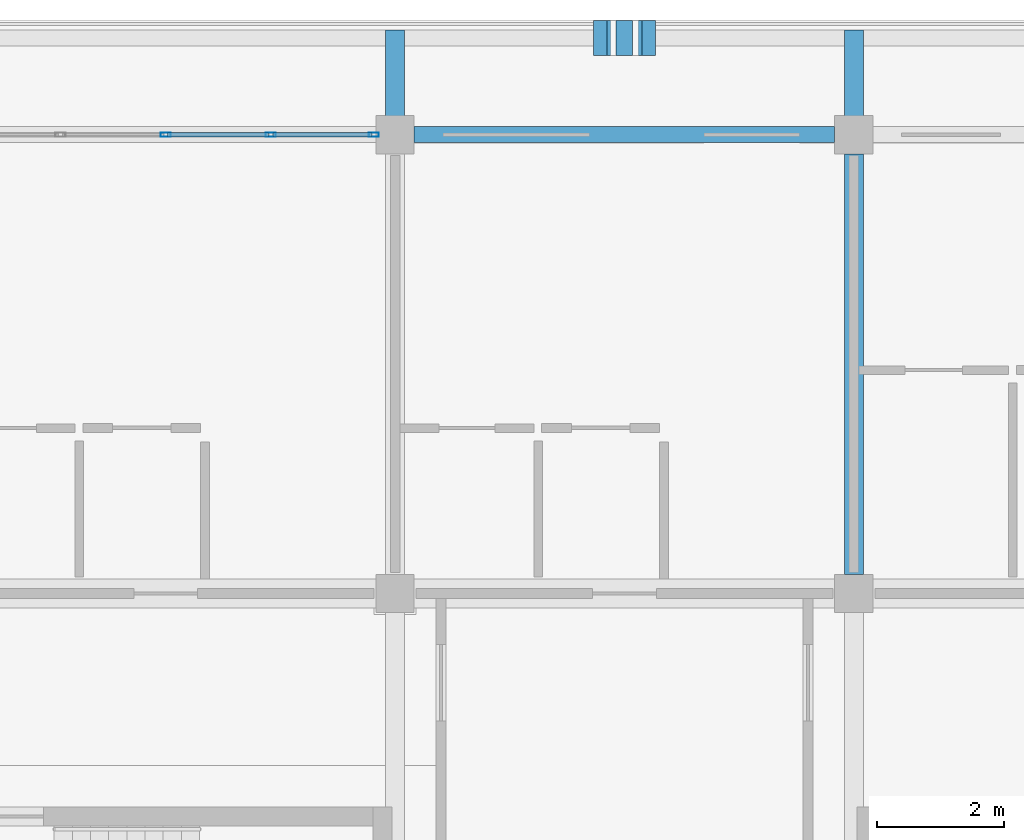
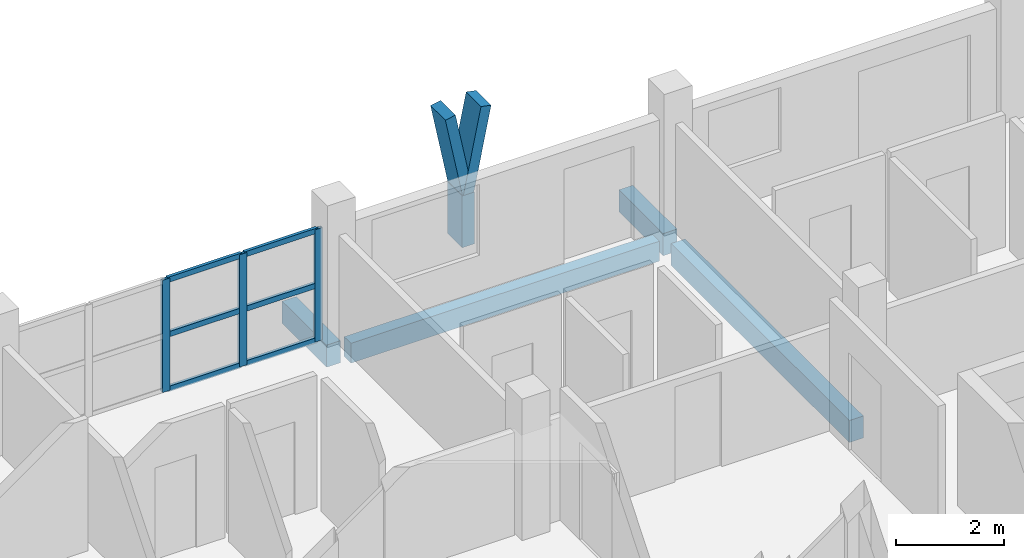
# One storey, part 13 of 67: 12 members, 4 beams, 1 element without a shape of its own.
"""IFC4 building model written with IfcOpenShell, lengths in metres."""

from ifc_helpers import new_model, si_unit, direction, frame, origin, origin_2d, place, context, subcontext, project, spatial, rectangle, hollow_rectangle, extrude, material, material_profile, profile_set, type_object, element, aggregate, save


model = new_model("IFC4")

# Units and contexts
model_context = context("Model", 3, precision=1e-05, world=origin(), true_north=direction((0.0, 1.0)))
body_context = subcontext(model_context, "Body", "Model", "MODEL_VIEW")
ifc_project = project(units=[si_unit("LENGTHUNIT", "METRE"), si_unit("AREAUNIT", "SQUARE_METRE"), si_unit("VOLUMEUNIT", "CUBIC_METRE"), si_unit("PLANEANGLEUNIT", "RADIAN"), si_unit("MASSUNIT", "GRAM", prefix="KILO")], contexts=[model_context])

# Site, building, storey
site_placement = place(None, origin())
site = spatial("IfcSite", under=ifc_project, at=site_placement, CompositionType="ELEMENT")
building_placement = place(site_placement, origin())
building = spatial("IfcBuilding", under=site, at=building_placement, Name="Suanplinth Sawtooth Commons", CompositionType="ELEMENT")
storey_placement = place(building_placement, frame((0.0, 0.0, 25.10009765625)))
storey = spatial("IfcBuildingStorey", under=building, at=storey_placement, Name="L07", CompositionType="ELEMENT", Elevation=25.10009765625)

# Beams
ifc_material_1 = material(Name="Precast concrete C40/50", Category="concrete")
ifc_material_profile_1 = material_profile(ifc_material_1, rectangle(XDim=0.300048828125, YDim=0.5, at=origin_2d()), Name="PC-BM 300x500")
ifc_profile_set_1 = profile_set([ifc_material_profile_1], Name="Precast concrete C40/50")
beam_type_1 = type_object("IfcBeamType", Name="B-07", PredefinedType="BEAM", material=ifc_profile_set_1)
beam_1_placement = place(storey_placement, frame((57.60009765625, 115.5, -0.47021484375), z_axis=(0.0, 1.0, 0.0), x_axis=(-1.0, 0.0, 0.0)))
element("IfcBeam", 1, at=beam_1_placement, inside=storey, type_object=beam_type_1, Name="BMY-L07-A-8-16", PredefinedType="BEAM", context=body_context, shape_type="SweptSolid", body=[
    extrude(rectangle(XDim=0.300048828125, YDim=0.5, at=origin_2d()), origin(), (0.0, 0.0, 1.0), 6.60009765625),
])
for number, where, z_axis, x_axis, name in (
    (2, (50.39990234375, 122.39990234375, -0.43017578125), (0.0, 1.0, 0.0), (-1.0, 0.0, 0.0), "Balcony Outrigger L07-A-N-7"),
    (3, (57.60009765625, 122.39990234375, -0.43017578125), (0.0, 1.0, 0.0), (-1.0, 0.0, 0.0), "Balcony Outrigger L07-A-N-8"),
):
    element("IfcBeam", number, at=place(storey_placement, frame(where, z_axis=z_axis, x_axis=x_axis)), inside=storey, type_object=beam_type_1, Name=name, PredefinedType="BEAM", context=body_context, shape_type="SweptSolid", body=[
        extrude(rectangle(XDim=0.300048828125, YDim=0.5, at=origin_2d()), origin(), (0.0, 0.0, 1.0), 1.64013671875),
    ])
ifc_material_profile_2 = material_profile(ifc_material_1, rectangle(XDim=0.25, YDim=0.449951171875, at=origin_2d()), Name="PC-SP 250x450")
ifc_profile_set_2 = profile_set([ifc_material_profile_2], Name="Precast concrete C40/50")
beam_type_2 = type_object("IfcBeamType", Name="B-09", PredefinedType="SPANDREL", material=ifc_profile_set_2)
beam_2_placement = place(storey_placement, frame((50.699951171875, 122.39990234375, -0.445068359375), z_axis=(1.0, 0.0, 0.0), x_axis=(0.0, 1.0, 0.0)))
element("IfcBeam", 4, at=beam_2_placement, inside=storey, type_object=beam_type_2, Name="BMX-L07-A-7-17", PredefinedType="SPANDREL", context=body_context, shape_type="SweptSolid", body=[
    extrude(rectangle(XDim=0.25, YDim=0.449951171875, at=origin_2d()), origin(), (0.0, 0.0, 1.0), 6.60009765625),
])

# Members
ifc_material_2 = material(Name="Pigmented precast concrete C40/50", Category="concrete")
ifc_material_profile_3 = material_profile(ifc_material_2, rectangle(XDim=0.260009765625, YDim=0.550048828125, at=origin_2d()), Name="PC-FIN 260x550")
ifc_profile_set_3 = profile_set([ifc_material_profile_3], Name="Pigmented precast concrete C40/50")
member_type_1 = type_object("IfcMemberType", Name="M-09", PredefinedType="USERDEFINED", material=ifc_profile_set_3)
member_1_placement = place(storey_placement, frame((54.0, 123.919921875, 0.0), z_axis=(0.0, 0.0, 1.0), x_axis=(1.0, 0.0, 0.0)))
element("IfcMember", 5, at=member_1_placement, inside=storey, type_object=member_type_1, Name="Y-Blade Stem L07-A-N-02", ObjectType="SHADING FIN", PredefinedType="USERDEFINED", context=body_context, shape_type="SweptSolid", body=[
    extrude(rectangle(XDim=0.260009765625, YDim=0.550048828125, at=origin_2d()), origin(), (0.0, 0.0, 1.0), 1.169921875),
])
ifc_material_profile_4 = material_profile(ifc_material_2, rectangle(XDim=0.219970703125, YDim=0.550048828125, at=origin_2d()), Name="PC-FIN 220x550")
ifc_profile_set_4 = profile_set([ifc_material_profile_4], Name="Pigmented precast concrete C40/50")
member_type_2 = type_object("IfcMemberType", Name="M-10", PredefinedType="USERDEFINED", material=ifc_profile_set_4)
for number, where, z_axis, x_axis, name in (
    (6, (54.0, 123.919921875, 1.1298828125), (-0.196431120402, 0.0, 0.980517626021), (0.980517626021, 0.0, 0.196431120402), "Y-Blade Arm L L07-A-N-02"),
    (7, (54.0, 123.919921875, 1.1298828125), (0.196431120402, 0.0, 0.980517626021), (-0.980517626021, 0.0, 0.196431120402), "Y-Blade Arm R L07-A-N-02"),
):
    element("IfcMember", number, at=place(storey_placement, frame(where, z_axis=z_axis, x_axis=x_axis)), inside=storey, type_object=member_type_2, Name=name, ObjectType="SHADING FIN", PredefinedType="USERDEFINED", context=body_context, shape_type="SweptSolid", body=[
        extrude(rectangle(XDim=0.219970703125, YDim=0.550048828125, at=origin_2d()), origin(), (0.0, 0.0, 1.0), 1.937744140625),
    ])

# Curtain wall, members
ifc_material_3 = material(Name="Anodized aluminium and low-E glazing", Category="aluminium")
curtain_wall_type = type_object("IfcCurtainWallType", Name="CW-06", PredefinedType="USERDEFINED", material=ifc_material_3)
curtain_wall_placement = place(storey_placement, origin())
curtain_wall = element("IfcCurtainWall", 8, at=curtain_wall_placement, inside=storey, type_object=curtain_wall_type, Name="Curtain Wall CW-L07-A-LOUNGE-5", ObjectType="CURTAIN WALL", PredefinedType="USERDEFINED")
ifc_material_4 = material(Name="Anodized aluminium 6063-T6", Category="aluminium")
ifc_material_profile_5 = material_profile(ifc_material_4, hollow_rectangle(XDim=0.06494140625, YDim=0.159912109375, WallThickness=0.00390625, at=origin_2d()), Name="ALU-MUL 65x160")
ifc_profile_set_5 = profile_set([ifc_material_profile_5], Name="Anodized aluminium 6063-T6")
member_type_3 = type_object("IfcMemberType", Name="M-13", PredefinedType="MULLION", material=ifc_profile_set_5)
member_2_placement = place(storey_placement, frame((46.800048828125, 122.39990234375, 0.0), z_axis=(0.0, 0.0, 1.0), x_axis=(0.0, 1.0, 0.0)))
member_2 = element("IfcMember", 9, at=member_2_placement, type_object=member_type_3, Name="CW-06 mullion 3", PredefinedType="MULLION", context=body_context, shape_type="SweptSolid", body=[
    extrude(hollow_rectangle(XDim=0.06494140625, YDim=0.159912109375, WallThickness=0.00390625, at=origin_2d()), origin(), (0.0, 0.0, 1.0), 2.539794921875),
])
member_3_placement = place(storey_placement, frame((48.449951171875, 122.39990234375, 0.0), z_axis=(0.0, 0.0, 1.0), x_axis=(0.0, 1.0, 0.0)))
member_3 = element("IfcMember", 10, at=member_3_placement, type_object=member_type_3, Name="CW-06 mullion 4", PredefinedType="MULLION", context=body_context, shape_type="SweptSolid", body=[
    extrude(hollow_rectangle(XDim=0.06494140625, YDim=0.159912109375, WallThickness=0.00390625, at=origin_2d()), origin(), (0.0, 0.0, 1.0), 2.539794921875),
])
member_4_placement = place(storey_placement, frame((50.0673828125, 122.39990234375, 0.0), z_axis=(0.0, 0.0, 1.0), x_axis=(0.0, 1.0, 0.0)))
member_4 = element("IfcMember", 11, at=member_4_placement, type_object=member_type_3, Name="CW-06 mullion 5", PredefinedType="MULLION", context=body_context, shape_type="SweptSolid", body=[
    extrude(hollow_rectangle(XDim=0.06494140625, YDim=0.159912109375, WallThickness=0.00390625, at=origin_2d()), origin(), (0.0, 0.0, 1.0), 2.539794921875),
])
ifc_material_profile_6 = material_profile(ifc_material_4, hollow_rectangle(XDim=0.06494140625, YDim=0.1201171875, WallThickness=0.00390625, at=origin_2d()), Name="ALU-TRN 65x120")
ifc_profile_set_6 = profile_set([ifc_material_profile_6], Name="Anodized aluminium 6063-T6")
member_type_4 = type_object("IfcMemberType", Name="M-15", PredefinedType="USERDEFINED", material=ifc_profile_set_6)
member_5_placement = place(storey_placement, frame((46.83251953125, 122.39990234375, 0.032470703125), z_axis=(1.0, 0.0, 0.0), x_axis=(0.0, 1.0, 0.0)))
member_5 = element("IfcMember", 12, at=member_5_placement, type_object=member_type_4, Name="CW-06 transom 3.1", ObjectType="TRANSOM", PredefinedType="USERDEFINED", context=body_context, shape_type="SweptSolid", body=[
    extrude(hollow_rectangle(XDim=0.06494140625, YDim=0.1201171875, WallThickness=0.00390625, at=origin_2d()), origin(), (0.0, 0.0, 1.0), 1.5849609375),
])
member_6_placement = place(storey_placement, frame((46.83251953125, 122.39990234375, 1.27001953125), z_axis=(1.0, 0.0, 0.0), x_axis=(0.0, 1.0, 0.0)))
member_6 = element("IfcMember", 13, at=member_6_placement, type_object=member_type_4, Name="CW-06 transom 3.2", ObjectType="TRANSOM", PredefinedType="USERDEFINED", context=body_context, shape_type="SweptSolid", body=[
    extrude(hollow_rectangle(XDim=0.06494140625, YDim=0.1201171875, WallThickness=0.00390625, at=origin_2d()), origin(), (0.0, 0.0, 1.0), 1.5849609375),
])
member_7_placement = place(storey_placement, frame((46.83251953125, 122.39990234375, 2.50732421875), z_axis=(1.0, 0.0, 0.0), x_axis=(0.0, 1.0, 0.0)))
member_7 = element("IfcMember", 14, at=member_7_placement, type_object=member_type_4, Name="CW-06 transom 3.3", ObjectType="TRANSOM", PredefinedType="USERDEFINED", context=body_context, shape_type="SweptSolid", body=[
    extrude(hollow_rectangle(XDim=0.06494140625, YDim=0.1201171875, WallThickness=0.00390625, at=origin_2d()), origin(), (0.0, 0.0, 1.0), 1.5849609375),
])
member_8_placement = place(storey_placement, frame((48.482421875, 122.39990234375, 0.032470703125), z_axis=(1.0, 0.0, 0.0), x_axis=(0.0, 1.0, 0.0)))
member_8 = element("IfcMember", 15, at=member_8_placement, type_object=member_type_4, Name="CW-06 transom 4.1", ObjectType="TRANSOM", PredefinedType="USERDEFINED", context=body_context, shape_type="SweptSolid", body=[
    extrude(hollow_rectangle(XDim=0.06494140625, YDim=0.1201171875, WallThickness=0.00390625, at=origin_2d()), origin(), (0.0, 0.0, 1.0), 1.552490234375),
])
member_9_placement = place(storey_placement, frame((48.482421875, 122.39990234375, 1.27001953125), z_axis=(1.0, 0.0, 0.0), x_axis=(0.0, 1.0, 0.0)))
member_9 = element("IfcMember", 16, at=member_9_placement, type_object=member_type_4, Name="CW-06 transom 4.2", ObjectType="TRANSOM", PredefinedType="USERDEFINED", context=body_context, shape_type="SweptSolid", body=[
    extrude(hollow_rectangle(XDim=0.06494140625, YDim=0.1201171875, WallThickness=0.00390625, at=origin_2d()), origin(), (0.0, 0.0, 1.0), 1.552490234375),
])
member_10_placement = place(storey_placement, frame((48.482421875, 122.39990234375, 2.50732421875), z_axis=(1.0, 0.0, 0.0), x_axis=(0.0, 1.0, 0.0)))
member_10 = element("IfcMember", 17, at=member_10_placement, type_object=member_type_4, Name="CW-06 transom 4.3", ObjectType="TRANSOM", PredefinedType="USERDEFINED", context=body_context, shape_type="SweptSolid", body=[
    extrude(hollow_rectangle(XDim=0.06494140625, YDim=0.1201171875, WallThickness=0.00390625, at=origin_2d()), origin(), (0.0, 0.0, 1.0), 1.552490234375),
])
aggregate(curtain_wall, [member_2, member_3, member_4, member_5, member_6, member_7, member_8, member_9, member_10])

save(model, "model.ifc")
